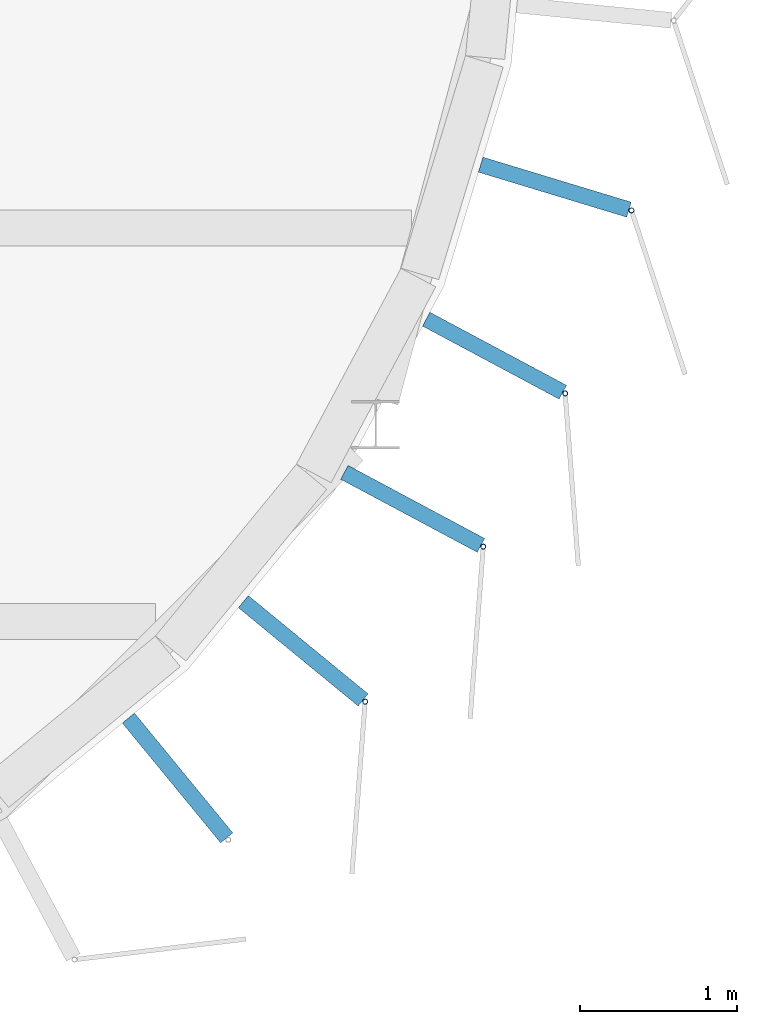
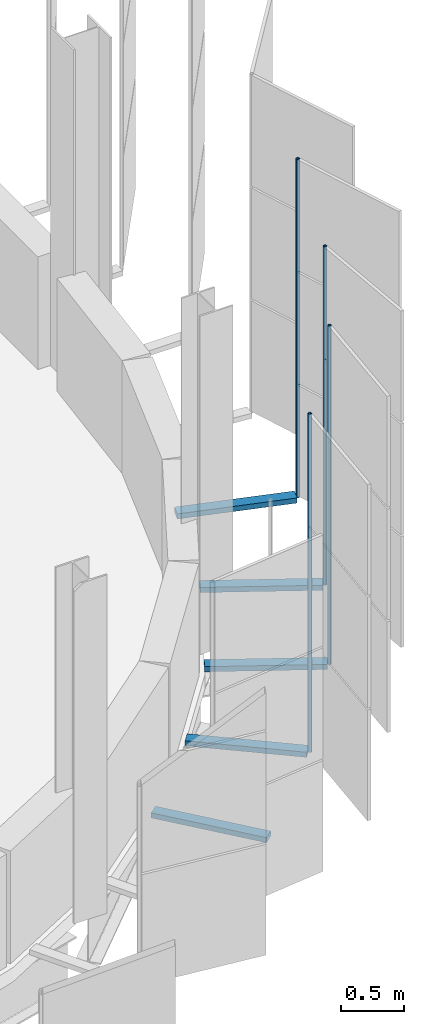
# One storey, part 107 of 214: 9 discrete accessories.
"""IFC4 building model written with IfcOpenShell, lengths in metres."""

from ifc_helpers import new_model, si_unit, direction, frame, origin, origin_2d, place, context, subcontext, project, spatial, rectangle, hollow_circle, extrude, material, material_profile, profile_set, type_object, element, save


model = new_model("IFC4")

# Units and contexts
model_context = context("Model", 3, precision=1e-05, world=origin(), true_north=direction((0.0, 1.0)))
body_context = subcontext(model_context, "Body", "Model", "MODEL_VIEW")
ifc_project = project(units=[si_unit("LENGTHUNIT", "METRE"), si_unit("AREAUNIT", "SQUARE_METRE"), si_unit("VOLUMEUNIT", "CUBIC_METRE"), si_unit("PLANEANGLEUNIT", "RADIAN"), si_unit("MASSUNIT", "GRAM", prefix="KILO")], contexts=[model_context])

# Site, building, storey
site_placement = place(None, origin())
site = spatial("IfcSite", under=ifc_project, at=site_placement, CompositionType="ELEMENT")
building_placement = place(site_placement, origin())
building = spatial("IfcBuilding", under=site, at=building_placement, Name="Parallax Yard Mobility Hub", CompositionType="ELEMENT")
storey_placement = place(building_placement, frame((0.0, 0.0, 3.300048828125)))
storey = spatial("IfcBuildingStorey", under=building, at=storey_placement, Name="L01", CompositionType="ELEMENT", Elevation=3.300048828125)

# Discrete accessories
ifc_material_1 = material(Name="Steel ASTM A36, hot-dip galvanised", Category="steel")
discrete_accessory_type_1 = type_object("IfcDiscreteAccessoryType", Name="Hinge bracket plate 100x50", PredefinedType="BRACKET", material=ifc_material_1)
for number, where, z_axis, x_axis, name in (
    (1, (222.73681640625, 24.006103515625, -0.02490234375), (0.0, 0.0, 1.0), (0.634393284164, -0.773010453363, 0.0), "Hinge bracket plate bay 32.6 level L01"),
    (2, (223.535400390625, 24.81396484375, -0.02490234375), (0.0, 0.0, 1.0), (0.773010453363, -0.634393284164, 0.0), "Hinge bracket plate bay 32.7 level L01"),
    (3, (224.230712890625, 25.7158203125, -0.02490234375), (0.0, 0.0, 1.0), (0.881921264348, -0.471396736826, 0.0), "Hinge bracket plate bay 32.8 level L01"),
    (4, (224.750732421875, 26.68896484375, -0.02490234375), (0.0, 0.0, 1.0), (0.881921264348, -0.471396736826, 0.0), "Hinge bracket plate bay 32.9 level L01"),
    (5, (225.1337890625, 27.759765625, -0.02490234375), (0.0, 0.0, 1.0), (0.956940335732, -0.290284677254, 0.0), "Hinge bracket plate bay 32.10 level L01"),
):
    element("IfcDiscreteAccessory", number, at=place(storey_placement, frame(where, z_axis=z_axis, x_axis=x_axis)), inside=storey, type_object=discrete_accessory_type_1, Name=name, PredefinedType="BRACKET", context=body_context, shape_type="SweptSolid", body=[
        extrude(rectangle(XDim=0.984130859375, YDim=0.10009765625, at=origin_2d()), origin(), (0.0, 0.0, 1.0), 0.050048828125),
    ])
ifc_material_2 = material(Name="Steel ASTM A500 Gr C, hot-dip galvanised", Category="steel")
ifc_material_profile = material_profile(ifc_material_2, hollow_circle(Radius=0.016845703125, WallThickness=0.003173828125, at=origin_2d()), Name="CHS 33.7x3.2")
ifc_profile_set = profile_set([ifc_material_profile], Name="Steel ASTM A500 Gr C, hot-dip galvanised")
discrete_accessory_type_2 = type_object("IfcDiscreteAccessoryType", Name="Hinge post CHS 33.7x3.2", PredefinedType="BRACKET", material=ifc_profile_set)
for number, where, z_axis, x_axis, name in (
    (6, (223.928466796875, 24.491455078125, 0.0), (0.0, 0.0, 1.0), (1.0, 0.0, 0.0), "Hinge post bay 32.7 level L01"),
    (7, (224.678955078125, 25.47607421875, 0.0), (0.0, 0.0, 1.0), (1.0, 0.0, 0.0), "Hinge post bay 32.8 level L01"),
    (8, (225.19921875, 26.44921875, 0.0), (0.0, 0.0, 1.0), (1.0, 0.0, 0.0), "Hinge post bay 32.9 level L01"),
    (9, (225.620361328125, 27.6123046875, 0.0), (0.0, 0.0, 1.0), (1.0, 0.0, 0.0), "Hinge post bay 32.10 level L01"),
):
    element("IfcDiscreteAccessory", number, at=place(storey_placement, frame(where, z_axis=z_axis, x_axis=x_axis)), inside=storey, type_object=discrete_accessory_type_2, Name=name, PredefinedType="BRACKET", context=body_context, shape_type="SweptSolid", body=[
        extrude(hollow_circle(Radius=0.016845703125, WallThickness=0.003173828125, at=origin_2d()), origin(), (0.0, 0.0, 1.0), 3.300048828125),
    ])

save(model, "model.ifc")
